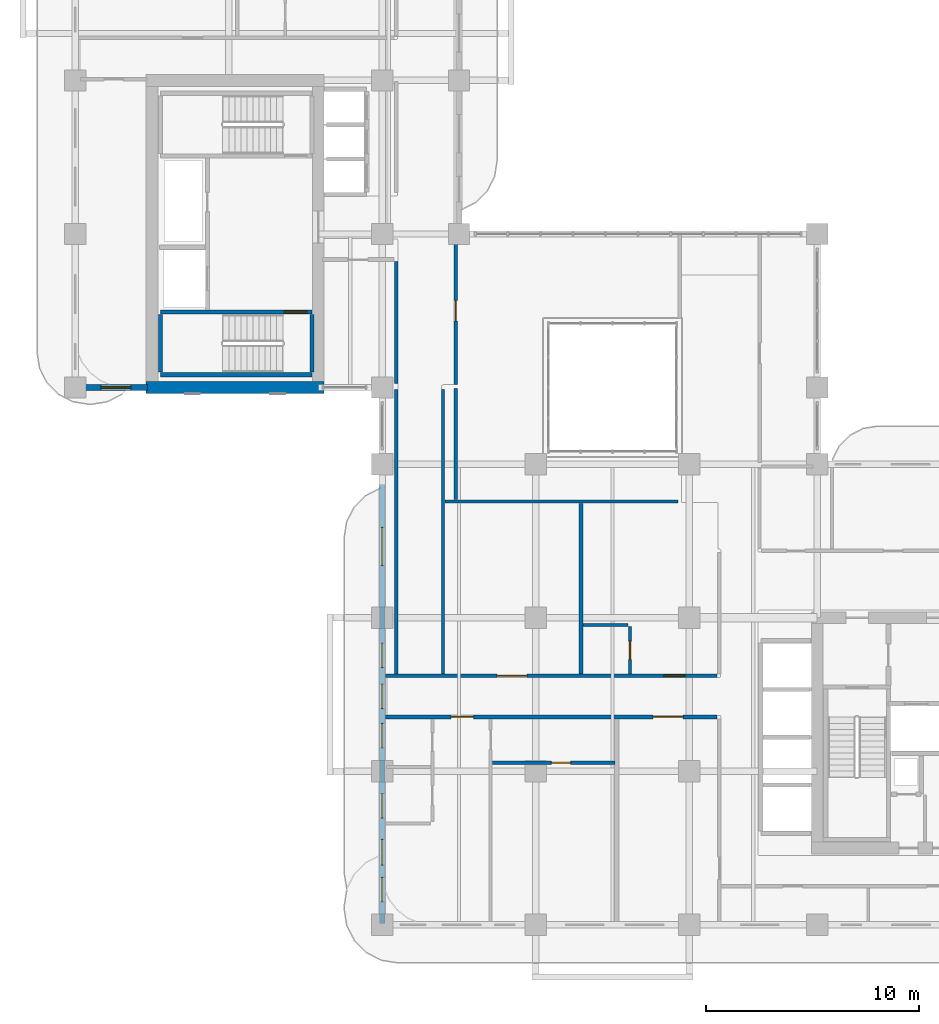
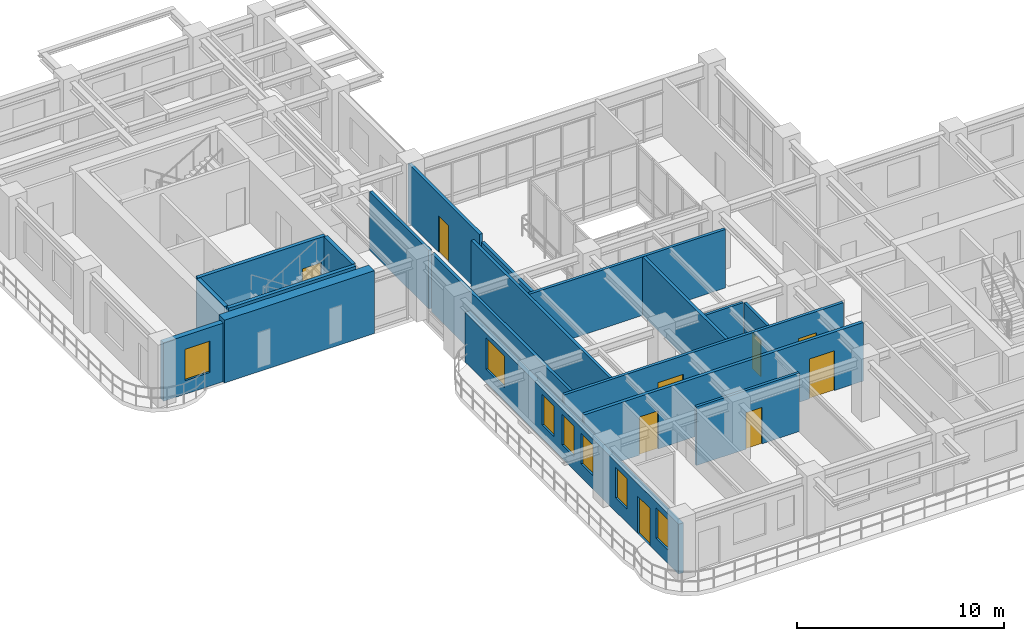
# One storey, part 11 of 20: 19 walls, 9 doors, 7 windows, 16 openings.
"""IFC4 building model written with IfcOpenShell, lengths in metres."""

from ifc_helpers import new_model, si_unit, derived_unit, direction, frame, frame_2d, origin, place, context, subcontext, project, spatial, rectangle, extrude, source, transform, mapped, material, layer, layer_set, type_object, type_shapes, element, fill, save


model = new_model("IFC4")

# Units and contexts
model_context = context("Model", 3, precision=1e-05, world=origin(), true_north=direction((0.0, 1.0)))
body_context = subcontext(model_context, "Body", "Model", "MODEL_VIEW")
ifc_project = project(units=[si_unit("LENGTHUNIT", "METRE"), si_unit("AREAUNIT", "SQUARE_METRE"), si_unit("VOLUMEUNIT", "CUBIC_METRE"), si_unit("PLANEANGLEUNIT", "RADIAN"), si_unit("MASSUNIT", "GRAM", prefix="KILO"), si_unit("THERMODYNAMICTEMPERATUREUNIT", "KELVIN"), si_unit("POWERUNIT", "WATT"), derived_unit("THERMALTRANSMITTANCEUNIT", [(si_unit("POWERUNIT", "WATT"), 1), (si_unit("AREAUNIT", "SQUARE_METRE"), -1), (si_unit("THERMODYNAMICTEMPERATUREUNIT", "KELVIN"), -1)])], contexts=[model_context])

# Site, building, storey
site_placement = place(None, origin())
site = spatial("IfcSite", under=ifc_project, at=site_placement, CompositionType="ELEMENT")
building_placement = place(site_placement, origin())
building = spatial("IfcBuilding", under=site, at=building_placement, Name="Zahravan Archway Hotel and Residences", CompositionType="ELEMENT")
storey_placement = place(building_placement, frame((0.0, 0.0, 111.800048828125)))
storey = spatial("IfcBuildingStorey", under=building, at=storey_placement, Name="L27", CompositionType="ELEMENT", Elevation=111.800048828125)

# Wall
ifc_material_1 = material(Name="Concrete C70/85", Category="concrete")
ifc_layer_1 = layer(ifc_material_1, 0.550048828125, Name="Concrete C70/85", Category="concrete")
ifc_layer_set_1 = layer_set([ifc_layer_1], Name="Concrete C70/85")
wall_type_1 = type_object("IfcWallType", Name="CW-CORE-550", PredefinedType="SHEAR", material=ifc_layer_set_1)
wall_1_placement = place(storey_placement, frame((3.324951171875, 25.199951171875, 0.0), z_axis=(0.0, 0.0, 1.0), x_axis=(1.0, 0.0, 0.0)))
element("IfcWall", 1, at=wall_1_placement, inside=storey, type_object=wall_type_1, Name="L27 Core B Shear S Wall 550 mm", PredefinedType="SHEAR", context=body_context, shape_type="SweptSolid", body=[
    extrude(rectangle(XDim=8.35009765625, YDim=0.550048828125, at=frame_2d((4.175048828125, 0.0))), origin(), (0.0, 0.0, 1.0), 3.699951171875),
])

# Wall, openings, door, windows
ifc_material_2 = material(Name="Honed Red-Ochre Sandstone & Insulated Block", Category="masonry")
ifc_layer_2 = layer(ifc_material_2, 0.280029296875, Name="Honed Red-Ochre Sandstone & Insulated Block", Category="masonry")
ifc_layer_set_2 = layer_set([ifc_layer_2], Name="Honed Red-Ochre Sandstone & Insulated Block")
wall_type_2 = type_object("IfcWallType", Name="EW-LOG-280", PredefinedType="SOLIDWALL", material=ifc_layer_set_2)
wall_2_placement = place(storey_placement, frame((14.39990234375, 0.050048828125, 0.0), z_axis=(0.0, 0.0, 1.0), x_axis=(0.0, 1.0, 0.0)))
wall_2 = element("IfcWall", 2, at=wall_2_placement, inside=storey, type_object=wall_type_2, Name="L27 Exterior Sandstone Wall WA-WL", PredefinedType="SOLIDWALL", context=body_context, shape_type="SweptSolid", body=[
    extrude(rectangle(XDim=20.599853515625, YDim=0.280029296875, at=frame_2d((10.2998046875, 0.0))), origin(), (0.0, 0.0, 1.0), 2.93505859375),
])
opening_1_placement = place(wall_2_placement, frame((2.75, 0.0, 0.0)))
opening_1 = element("IfcOpeningElement", 3, at=opening_1_placement, cuts=wall_2, Name="Opening ED-BL1", PredefinedType="OPENING", context=body_context, shape_type="SweptSolid", body=[
    extrude(rectangle(XDim=1.199951171875, YDim=2.199951171875, at=frame_2d((0.60009765625, 1.10009765625))), frame((0.0, 0.14990234375, 0.0), z_axis=(0.0, -1.0, 0.0), x_axis=(1.0, 0.0, 0.0)), (0.0, 0.0, 1.0), 0.300048828125),
])
opening_2_placement = place(wall_2_placement, frame((1.02490234375, 0.0, 0.800048828125)))
opening_2 = element("IfcOpeningElement", 4, at=opening_2_placement, cuts=wall_2, Name="Opening W-05", PredefinedType="OPENING", context=body_context, shape_type="SweptSolid", body=[
    extrude(rectangle(XDim=1.14990234375, YDim=1.800048828125, at=frame_2d((0.574951171875, 0.89990234375))), frame((0.0, 0.14990234375, 0.0), z_axis=(0.0, -1.0, 0.0), x_axis=(1.0, 0.0, 0.0)), (0.0, 0.0, 1.0), 0.300048828125),
])
opening_3_placement = place(wall_2_placement, frame((4.9541015625, 0.0, 0.800048828125)))
opening_3 = element("IfcOpeningElement", 5, at=opening_3_placement, cuts=wall_2, Name="Opening W-05", PredefinedType="OPENING", context=body_context, shape_type="SweptSolid", body=[
    extrude(rectangle(XDim=1.14990234375, YDim=1.800048828125, at=frame_2d((0.574951171875, 0.89990234375))), frame((0.0, 0.14990234375, 0.0), z_axis=(0.0, -1.0, 0.0), x_axis=(1.0, 0.0, 0.0)), (0.0, 0.0, 1.0), 0.300048828125),
])
opening_4_placement = place(wall_2_placement, frame((8.24609375, 0.0, 0.800048828125)))
opening_4 = element("IfcOpeningElement", 6, at=opening_4_placement, cuts=wall_2, Name="Opening W-05", PredefinedType="OPENING", context=body_context, shape_type="SweptSolid", body=[
    extrude(rectangle(XDim=1.14990234375, YDim=1.800048828125, at=frame_2d((0.574951171875, 0.89990234375))), frame((0.0, 0.14990234375, 0.0), z_axis=(0.0, -1.0, 0.0), x_axis=(1.0, 0.0, 0.0)), (0.0, 0.0, 1.0), 0.300048828125),
])
opening_5_placement = place(wall_2_placement, frame((10.0849609375, 0.0, 0.800048828125)))
opening_5 = element("IfcOpeningElement", 7, at=opening_5_placement, cuts=wall_2, Name="Opening W-05", PredefinedType="OPENING", context=body_context, shape_type="SweptSolid", body=[
    extrude(rectangle(XDim=1.14990234375, YDim=1.800048828125, at=frame_2d((0.574951171875, 0.89990234375))), frame((0.0, 0.14990234375, 0.0), z_axis=(0.0, -1.0, 0.0), x_axis=(1.0, 0.0, 0.0)), (0.0, 0.0, 1.0), 0.300048828125),
])
opening_6_placement = place(wall_2_placement, frame((12.013916015625, 0.0, 0.800048828125)))
opening_6 = element("IfcOpeningElement", 8, at=opening_6_placement, cuts=wall_2, Name="Opening W-05", PredefinedType="OPENING", context=body_context, shape_type="SweptSolid", body=[
    extrude(rectangle(XDim=1.14990234375, YDim=1.800048828125, at=frame_2d((0.574951171875, 0.89990234375))), frame((0.0, 0.14990234375, 0.0), z_axis=(0.0, -1.0, 0.0), x_axis=(1.0, 0.0, 0.0)), (0.0, 0.0, 1.0), 0.300048828125),
])
opening_7_placement = place(wall_2_placement, frame((16.7900390625, 0.0, 0.800048828125)))
opening_7 = element("IfcOpeningElement", 9, at=opening_7_placement, cuts=wall_2, Name="Opening W-02", PredefinedType="OPENING", context=body_context, shape_type="SweptSolid", body=[
    extrude(rectangle(XDim=1.800048828125, YDim=1.85009765625, at=frame_2d((0.89990234375, 0.925048828125))), frame((0.0, 0.14990234375, 0.0), z_axis=(0.0, -1.0, 0.0), x_axis=(1.0, 0.0, 0.0)), (0.0, 0.0, 1.0), 0.300048828125),
])
ifc_material_3 = material(Name="Bronze-Anodized Glazed Aluminium", Category="aluminium")
door_type_1 = type_object("IfcDoorType", Name="ED-BALC-1200", OperationType="SLIDING_TO_LEFT", PredefinedType="DOOR", material=ifc_material_3)
shared_shape_1 = source(origin(), body_context, "Body", "SweptSolid", [
    extrude(rectangle(XDim=1.199951171875, YDim=2.199951171875, at=frame_2d((0.60009765625, 1.10009765625))), frame((0.0, 0.02490234375, 0.0), z_axis=(0.0, -1.0, 0.0), x_axis=(1.0, 0.0, 0.0)), (0.0, 0.0, 1.0), 0.050048828125),
])
type_shapes(door_type_1, [shared_shape_1])
door_1_placement = place(opening_1_placement, origin())
door_1 = element("IfcDoor", 10, at=door_1_placement, inside=storey, type_object=door_type_1, Name="L27 Outdoor Access Sliding Door (SLB-BAL-L27-WA)", OperationType="SLIDING_TO_LEFT", OverallHeight=2.199951171875, OverallWidth=1.199951171875, PredefinedType="DOOR", context=body_context, shape_type="MappedRepresentation", body=[
    mapped(shared_shape_1, transform((0.0, 0.0, 0.0), scale=1.0)),
])
fill(opening_1, door_1)
ifc_material_4 = material(Name="Bronze-Anodized Thermal-Break Aluminium & Low-E Glass", Category="aluminium")
window_type_1 = type_object("IfcWindowType", Name="WIN-TWR-1800", PartitioningType="DOUBLE_PANEL_VERTICAL", PredefinedType="WINDOW", material=ifc_material_4)
shared_shape_2 = source(origin(), body_context, "Body", "SweptSolid", [
    extrude(rectangle(XDim=1.800048828125, YDim=1.85009765625, at=frame_2d((0.89990234375, 0.925048828125))), frame((0.0, 0.030029296875, 0.0), z_axis=(0.0, -1.0, 0.0), x_axis=(1.0, 0.0, 0.0)), (0.0, 0.0, 1.0), 0.06005859375),
])
type_shapes(window_type_1, [shared_shape_2])
window_1_placement = place(opening_7_placement, origin())
window_1 = element("IfcWindow", 11, at=window_1_placement, inside=storey, type_object=window_type_1, Name="L27 Loggia Window 20", OverallHeight=1.85009765625, OverallWidth=1.800048828125, PartitioningType="DOUBLE_PANEL_VERTICAL", PredefinedType="WINDOW", context=body_context, shape_type="MappedRepresentation", body=[
    mapped(shared_shape_2, transform((0.0, 0.0, 0.0), scale=1.0)),
])
fill(opening_7, window_1)
window_type_2 = type_object("IfcWindowType", Name="WIN-TWR-1150", PartitioningType="SINGLE_PANEL", PredefinedType="WINDOW", material=ifc_material_4)
shared_shape_3 = source(origin(), body_context, "Body", "SweptSolid", [
    extrude(rectangle(XDim=1.14990234375, YDim=1.800048828125, at=frame_2d((0.574951171875, 0.89990234375))), frame((0.0, 0.030029296875, 0.0), z_axis=(0.0, -1.0, 0.0), x_axis=(1.0, 0.0, 0.0)), (0.0, 0.0, 1.0), 0.06005859375),
])
type_shapes(window_type_2, [shared_shape_3])
window_2_placement = place(opening_2_placement, origin())
window_2 = element("IfcWindow", 12, at=window_2_placement, inside=storey, type_object=window_type_2, Name="L27 Loggia Window 15", OverallHeight=1.800048828125, OverallWidth=1.14990234375, PartitioningType="SINGLE_PANEL", PredefinedType="WINDOW", context=body_context, shape_type="MappedRepresentation", body=[
    mapped(shared_shape_3, transform((0.0, 0.0, 0.0), scale=1.0)),
])
fill(opening_2, window_2)
window_3_placement = place(opening_3_placement, origin())
window_3 = element("IfcWindow", 13, at=window_3_placement, inside=storey, type_object=window_type_2, Name="L27 Loggia Window 16", OverallHeight=1.800048828125, OverallWidth=1.14990234375, PartitioningType="SINGLE_PANEL", PredefinedType="WINDOW", context=body_context, shape_type="MappedRepresentation", body=[
    mapped(shared_shape_3, transform((0.0, 0.0, 0.0), scale=1.0)),
])
fill(opening_3, window_3)
window_4_placement = place(opening_4_placement, origin())
window_4 = element("IfcWindow", 14, at=window_4_placement, inside=storey, type_object=window_type_2, Name="L27 Loggia Window 17", OverallHeight=1.800048828125, OverallWidth=1.14990234375, PartitioningType="SINGLE_PANEL", PredefinedType="WINDOW", context=body_context, shape_type="MappedRepresentation", body=[
    mapped(shared_shape_3, transform((0.0, 0.0, 0.0), scale=1.0)),
])
fill(opening_4, window_4)
window_5_placement = place(opening_5_placement, origin())
window_5 = element("IfcWindow", 15, at=window_5_placement, inside=storey, type_object=window_type_2, Name="L27 Loggia Window 18", OverallHeight=1.800048828125, OverallWidth=1.14990234375, PartitioningType="SINGLE_PANEL", PredefinedType="WINDOW", context=body_context, shape_type="MappedRepresentation", body=[
    mapped(shared_shape_3, transform((0.0, 0.0, 0.0), scale=1.0)),
])
fill(opening_5, window_5)
window_6_placement = place(opening_6_placement, origin())
window_6 = element("IfcWindow", 16, at=window_6_placement, inside=storey, type_object=window_type_2, Name="L27 Loggia Window 19", OverallHeight=1.800048828125, OverallWidth=1.14990234375, PartitioningType="SINGLE_PANEL", PredefinedType="WINDOW", context=body_context, shape_type="MappedRepresentation", body=[
    mapped(shared_shape_3, transform((0.0, 0.0, 0.0), scale=1.0)),
])
fill(opening_6, window_6)

# Wall, opening, window
wall_3_placement = place(storey_placement, frame((0.0, 25.199951171875, 0.0), z_axis=(0.0, 0.0, 1.0), x_axis=(1.0, 0.0, 0.0)))
wall_3 = element("IfcWall", 17, at=wall_3_placement, inside=storey, type_object=wall_type_2, Name="L27 Exterior Sandstone Wall WB-SW", PredefinedType="SOLIDWALL", context=body_context, shape_type="SweptSolid", body=[
    extrude(rectangle(XDim=3.3798828125, YDim=0.280029296875, at=frame_2d((1.68994140625, 0.0))), origin(), (0.0, 0.0, 1.0), 3.449951171875),
])
opening_8_placement = place(wall_3_placement, frame((1.205078125, 0.0, 0.800048828125)))
opening_8 = element("IfcOpeningElement", 18, at=opening_8_placement, cuts=wall_3, Name="Opening W-03", PredefinedType="OPENING", context=body_context, shape_type="SweptSolid", body=[
    extrude(rectangle(XDim=1.39990234375, YDim=1.85009765625, at=frame_2d((0.699951171875, 0.925048828125))), frame((0.0, 0.14990234375, 0.0), z_axis=(0.0, -1.0, 0.0), x_axis=(1.0, 0.0, 0.0)), (0.0, 0.0, 1.0), 0.300048828125),
])
window_type_3 = type_object("IfcWindowType", Name="WIN-TWR-1400", PartitioningType="SINGLE_PANEL", PredefinedType="WINDOW", material=ifc_material_4)
shared_shape_4 = source(origin(), body_context, "Body", "SweptSolid", [
    extrude(rectangle(XDim=1.39990234375, YDim=1.85009765625, at=frame_2d((0.699951171875, 0.925048828125))), frame((0.0, 0.030029296875, 0.0), z_axis=(0.0, -1.0, 0.0), x_axis=(1.0, 0.0, 0.0)), (0.0, 0.0, 1.0), 0.06005859375),
])
type_shapes(window_type_3, [shared_shape_4])
window_7_placement = place(opening_8_placement, origin())
window_7 = element("IfcWindow", 19, at=window_7_placement, inside=storey, type_object=window_type_3, Name="L27 Loggia Window 21", OverallHeight=1.85009765625, OverallWidth=1.39990234375, PartitioningType="SINGLE_PANEL", PredefinedType="WINDOW", context=body_context, shape_type="MappedRepresentation", body=[
    mapped(shared_shape_4, transform((0.0, 0.0, 0.0), scale=1.0)),
])
fill(opening_8, window_7)

# Wall, openings, doors
ifc_material_5 = material(Name="Fire-Rated Gypsum & Concrete Block", Category="concrete")
ifc_layer_3 = layer(ifc_material_5, 0.159912109375, Name="Fire-Rated Gypsum & Concrete Block", Category="concrete")
ifc_layer_set_3 = layer_set([ifc_layer_3], Name="Fire-Rated Gypsum & Concrete Block")
wall_type_3 = type_object("IfcWallType", Name="PW-CORR-160", PredefinedType="PARTITIONING", material=ifc_layer_set_3)
wall_4_placement = place(storey_placement, frame((14.548095703125, 11.669921875, 0.0), z_axis=(0.0, 0.0, 1.0), x_axis=(1.0, 0.0, 0.0)))
wall_4 = element("IfcWall", 20, at=wall_4_placement, inside=storey, type_object=wall_type_3, Name="L27 Partition WA-CN", PredefinedType="PARTITIONING", context=body_context, shape_type="SweptSolid", body=[
    extrude(rectangle(XDim=15.56201171875, YDim=0.159912109375, at=frame_2d((7.781005859375, 0.0))), origin(), (0.0, 0.0, 1.0), 3.449951171875),
])
opening_9_placement = place(wall_4_placement, frame((5.237060546875, 0.0, 0.0)))
opening_9 = element("IfcOpeningElement", 21, at=opening_9_placement, cuts=wall_4, Name="Opening D-P1", PredefinedType="OPENING", context=body_context, shape_type="SweptSolid", body=[
    extrude(rectangle(XDim=1.39990234375, YDim=2.35009765625, at=frame_2d((0.699951171875, 1.175048828125))), frame((0.0, 0.08984375, 0.0), z_axis=(0.0, -1.0, 0.0), x_axis=(1.0, 0.0, 0.0)), (0.0, 0.0, 1.0), 0.179931640625),
])
opening_10_placement = place(wall_4_placement, frame((13.06201171875, 0.0, 0.0)))
opening_10 = element("IfcOpeningElement", 22, at=opening_10_placement, cuts=wall_4, Name="Opening D-U2", PredefinedType="OPENING", context=body_context, shape_type="SweptSolid", body=[
    extrude(rectangle(XDim=1.0, YDim=2.199951171875, at=frame_2d((0.5, 1.10009765625))), frame((0.0, 0.08984375, 0.0), z_axis=(0.0, -1.0, 0.0), x_axis=(1.0, 0.0, 0.0)), (0.0, 0.0, 1.0), 0.179931640625),
])
door_type_2 = type_object("IfcDoorType", Name="ID-PUBLIC-1400", OperationType="DOUBLE_DOOR_SINGLE_SWING", PredefinedType="DOOR", material=ifc_material_3)
shared_shape_5 = source(origin(), body_context, "Body", "SweptSolid", [
    extrude(rectangle(XDim=1.39990234375, YDim=2.35009765625, at=frame_2d((0.699951171875, 1.175048828125))), frame((0.0, 0.02490234375, 0.0), z_axis=(0.0, -1.0, 0.0), x_axis=(1.0, 0.0, 0.0)), (0.0, 0.0, 1.0), 0.050048828125),
])
type_shapes(door_type_2, [shared_shape_5])
door_2_placement = place(opening_9_placement, origin())
door_2 = element("IfcDoor", 23, at=door_2_placement, inside=storey, type_object=door_type_2, Name="L27 Atrium Lounge Door", OperationType="DOUBLE_DOOR_SINGLE_SWING", OverallHeight=2.35009765625, OverallWidth=1.39990234375, PredefinedType="DOOR", context=body_context, shape_type="MappedRepresentation", body=[
    mapped(shared_shape_5, transform((0.0, 0.0, 0.0), scale=1.0)),
])
fill(opening_9, door_2)
ifc_material_6 = material(Name="Hardwood Veneer Timber", Category="wood")
door_type_3 = type_object("IfcDoorType", Name="ID-UNIT-1000", OperationType="NOTDEFINED", PredefinedType="DOOR", material=ifc_material_6)
shared_shape_6 = source(origin(), body_context, "Body", "SweptSolid", [
    extrude(rectangle(XDim=1.0, YDim=2.199951171875, at=frame_2d((0.5, 1.10009765625))), frame((0.0, 0.02490234375, 0.0), z_axis=(0.0, -1.0, 0.0), x_axis=(1.0, 0.0, 0.0)), (0.0, 0.0, 1.0), 0.050048828125),
])
type_shapes(door_type_3, [shared_shape_6])
door_3_placement = place(opening_10_placement, origin())
door_3 = element("IfcDoor", 24, at=door_3_placement, inside=storey, type_object=door_type_3, Name="L27 Hotel Guestroom 51 Entrance Door", OperationType="SINGLE_SWING_RIGHT", OverallHeight=2.199951171875, OverallWidth=1.0, PredefinedType="DOOR", context=body_context, shape_type="MappedRepresentation", body=[
    mapped(shared_shape_6, transform((0.0, 0.0, 0.0), scale=1.0)),
])
fill(opening_10, door_3)

# Walls
for number, where, z_axis, x_axis, name in (
    (25, (15.050048828125, 11.760009765625, 0.0), (0.0, 0.0, 1.0), (0.0, 1.0, 0.0), "L27 Partition LNK-W"),
    (26, (17.25, 11.760009765625, 0.0), (0.0, 0.0, 1.0), (0.0, 1.0, 0.0), "L27 Partition LNK-E"),
):
    element("IfcWall", number, at=place(storey_placement, frame(where, z_axis=z_axis, x_axis=x_axis)), inside=storey, type_object=wall_type_3, Name=name, PredefinedType="PARTITIONING", context=body_context, shape_type="SweptSolid", body=[
        extrude(rectangle(XDim=13.35009765625, YDim=0.159912109375, at=frame_2d((6.675048828125, 0.0))), origin(), (0.0, 0.0, 1.0), 3.449951171875),
    ])
wall_5_placement = place(storey_placement, frame((15.050048828125, 25.389892578125, 0.0), z_axis=(0.0, 0.0, 1.0), x_axis=(0.0, 1.0, 0.0)))
element("IfcWall", 27, at=wall_5_placement, inside=storey, type_object=wall_type_3, Name="L27 Partition FB1-E", PredefinedType="PARTITIONING", context=body_context, shape_type="SweptSolid", body=[
    extrude(rectangle(XDim=5.72021484375, YDim=0.159912109375, at=frame_2d((2.860107421875, 0.0))), origin(), (0.0, 0.0, 1.0), 3.449951171875),
])
wall_6_placement = place(storey_placement, frame((17.340087890625, 19.85009765625, 0.0), z_axis=(0.0, 0.0, 1.0), x_axis=(1.0, 0.0, 0.0)))
element("IfcWall", 28, at=wall_6_placement, inside=storey, type_object=wall_type_3, Name="L27 Partition ATR-S", PredefinedType="PARTITIONING", context=body_context, shape_type="SweptSolid", body=[
    extrude(rectangle(XDim=10.919921875, YDim=0.159912109375, at=frame_2d((5.4599609375, 0.0))), origin(), (0.0, 0.0, 1.0), 3.449951171875),
])

# Wall, openings, doors
ifc_layer_4 = layer(ifc_material_5, 0.179931640625, Name="Fire-Rated Gypsum & Concrete Block", Category="concrete")
ifc_layer_set_4 = layer_set([ifc_layer_4], Name="Fire-Rated Gypsum & Concrete Block")
wall_type_4 = type_object("IfcWallType", Name="PW-CORR-180", PredefinedType="PARTITIONING", material=ifc_layer_set_4)
wall_7_placement = place(storey_placement, frame((14.548095703125, 9.75, 0.0), z_axis=(0.0, 0.0, 1.0), x_axis=(1.0, 0.0, 0.0)))
wall_7 = element("IfcWall", 29, at=wall_7_placement, inside=storey, type_object=wall_type_4, Name="L27 Partition WA-CS", PredefinedType="PARTITIONING", context=body_context, shape_type="SweptSolid", body=[
    extrude(rectangle(XDim=15.56201171875, YDim=0.179931640625, at=frame_2d((7.781005859375, 0.0))), origin(), (0.0, 0.0, 1.0), 3.449951171875),
])
opening_11_placement = place(wall_7_placement, frame((3.08203125, 0.0, 0.0)))
opening_11 = element("IfcOpeningElement", 30, at=opening_11_placement, cuts=wall_7, Name="Opening D-U1", PredefinedType="OPENING", context=body_context, shape_type="SweptSolid", body=[
    extrude(rectangle(XDim=1.050048828125, YDim=2.25, at=frame_2d((0.52490234375, 1.125))), frame((0.0, 0.10009765625, 0.0), z_axis=(0.0, -1.0, 0.0), x_axis=(1.0, 0.0, 0.0)), (0.0, 0.0, 1.0), 0.199951171875),
])
opening_12_placement = place(wall_7_placement, frame((12.552001953125, 0.0, 0.0)))
opening_12 = element("IfcOpeningElement", 31, at=opening_12_placement, cuts=wall_7, Name="Opening D-P1", PredefinedType="OPENING", context=body_context, shape_type="SweptSolid", body=[
    extrude(rectangle(XDim=1.39990234375, YDim=2.35009765625, at=frame_2d((0.699951171875, 1.175048828125))), frame((0.0, 0.10009765625, 0.0), z_axis=(0.0, -1.0, 0.0), x_axis=(1.0, 0.0, 0.0)), (0.0, 0.0, 1.0), 0.199951171875),
])
door_4_placement = place(opening_12_placement, origin())
door_4 = element("IfcDoor", 32, at=door_4_placement, inside=storey, type_object=door_type_2, Name="L27 South Spa Salon Door", OperationType="DOUBLE_DOOR_SINGLE_SWING", OverallHeight=2.35009765625, OverallWidth=1.39990234375, PredefinedType="DOOR", context=body_context, shape_type="MappedRepresentation", body=[
    mapped(shared_shape_5, transform((0.0, 0.0, 0.0), scale=1.0)),
])
fill(opening_12, door_4)
door_type_4 = type_object("IfcDoorType", Name="ID-UNIT-1050", OperationType="NOTDEFINED", PredefinedType="DOOR", material=ifc_material_6)
shared_shape_7 = source(origin(), body_context, "Body", "SweptSolid", [
    extrude(rectangle(XDim=1.050048828125, YDim=2.25, at=frame_2d((0.52490234375, 1.125))), frame((0.0, 0.02490234375, 0.0), z_axis=(0.0, -1.0, 0.0), x_axis=(1.0, 0.0, 0.0)), (0.0, 0.0, 1.0), 0.050048828125),
])
type_shapes(door_type_4, [shared_shape_7])
door_5_placement = place(opening_11_placement, origin())
door_5 = element("IfcDoor", 33, at=door_5_placement, inside=storey, type_object=door_type_4, Name="L27 Flat HS1 Entrance Door", OperationType="SINGLE_SWING_LEFT", OverallHeight=2.25, OverallWidth=1.050048828125, PredefinedType="DOOR", context=body_context, shape_type="MappedRepresentation", body=[
    mapped(shared_shape_7, transform((0.0, 0.0, 0.0), scale=1.0)),
])
fill(opening_11, door_5)

# Wall, opening, door
ifc_material_7 = material(Name="Acoustic Stud Partition")
ifc_layer_5 = layer(ifc_material_7, 0.14990234375, Name="Acoustic Stud Partition")
ifc_layer_set_5 = layer_set([ifc_layer_5], Name="Acoustic Stud Partition")
wall_type_5 = type_object("IfcWallType", Name="PW-UNIT-150", PredefinedType="PARTITIONING", material=ifc_layer_set_5)
wall_8_placement = place(storey_placement, frame((19.570068359375, 7.60009765625, 0.0), z_axis=(0.0, 0.0, 1.0), x_axis=(1.0, 0.0, 0.0)))
wall_8 = element("IfcWall", 34, at=wall_8_placement, inside=storey, type_object=wall_type_5, Name="L27 Partition FL-HS1-GH", PredefinedType="PARTITIONING", context=body_context, shape_type="SweptSolid", body=[
    extrude(rectangle(XDim=5.739990234375, YDim=0.14990234375, at=frame_2d((2.8701171875, 0.0))), origin(), (0.0, 0.0, 1.0), 3.449951171875),
])
opening_13_placement = place(wall_8_placement, frame((2.762451171875, 0.0, 0.0)))
opening_13 = element("IfcOpeningElement", 35, at=opening_13_placement, cuts=wall_8, Name="Opening D-I2", PredefinedType="OPENING", context=body_context, shape_type="SweptSolid", body=[
    extrude(rectangle(XDim=0.89990234375, YDim=2.14990234375, at=frame_2d((0.449951171875, 1.074951171875))), frame((0.0, 0.0849609375, 0.0), z_axis=(0.0, -1.0, 0.0), x_axis=(1.0, 0.0, 0.0)), (0.0, 0.0, 1.0), 0.169921875),
])
door_type_5 = type_object("IfcDoorType", Name="ID-INT-900", OperationType="NOTDEFINED", PredefinedType="DOOR", material=ifc_material_6)
shared_shape_8 = source(origin(), body_context, "Body", "SweptSolid", [
    extrude(rectangle(XDim=0.89990234375, YDim=2.14990234375, at=frame_2d((0.449951171875, 1.074951171875))), frame((0.0, 0.02490234375, 0.0), z_axis=(0.0, -1.0, 0.0), x_axis=(1.0, 0.0, 0.0)), (0.0, 0.0, 1.0), 0.050048828125),
])
type_shapes(door_type_5, [shared_shape_8])
door_6_placement = place(opening_13_placement, origin())
door_6 = element("IfcDoor", 36, at=door_6_placement, inside=storey, type_object=door_type_5, Name="L27 Flat HS1 Bedroom 1 Door", OperationType="SINGLE_SWING_RIGHT", OverallHeight=2.14990234375, OverallWidth=0.89990234375, PredefinedType="DOOR", context=body_context, shape_type="MappedRepresentation", body=[
    mapped(shared_shape_8, transform((0.0, 0.0, 0.0), scale=1.0)),
])
fill(opening_13, door_6)

# Wall
ifc_layer_6 = layer(ifc_material_7, 0.169921875, Name="Acoustic Stud Partition")
ifc_layer_set_6 = layer_set([ifc_layer_6], Name="Acoustic Stud Partition")
wall_type_6 = type_object("IfcWallType", Name="PW-UNIT-170", PredefinedType="PARTITIONING", material=ifc_layer_set_6)
wall_9_placement = place(storey_placement, frame((17.85009765625, 19.93994140625, 0.0), z_axis=(0.0, 0.0, 1.0), x_axis=(0.0, 1.0, 0.0)))
element("IfcWall", 37, at=wall_9_placement, inside=storey, type_object=wall_type_6, Name="L27 Partition ATR-NWSL", PredefinedType="PARTITIONING", context=body_context, shape_type="SweptSolid", body=[
    extrude(rectangle(XDim=5.219970703125, YDim=0.169921875, at=frame_2d((2.60986328125, 0.0))), origin(), (0.0, 0.0, 1.0), 3.10498046875),
])

# Wall, opening, door
wall_10_placement = place(storey_placement, frame((17.85009765625, 25.340087890625, 0.0), z_axis=(0.0, 0.0, 1.0), x_axis=(0.0, 1.0, 0.0)))
wall_10 = element("IfcWall", 38, at=wall_10_placement, inside=storey, type_object=wall_type_6, Name="L27 Partition ATR-W2", PredefinedType="PARTITIONING", context=body_context, shape_type="SweptSolid", body=[
    extrude(rectangle(XDim=6.869873046875, YDim=0.169921875, at=frame_2d((3.43505859375, 0.0))), origin(), (0.0, 0.0, 1.0), 3.449951171875),
])
opening_14_placement = place(wall_10_placement, frame((2.985107421875, 0.0, 0.0)))
opening_14 = element("IfcOpeningElement", 39, at=opening_14_placement, cuts=wall_10, Name="Opening D-I1", PredefinedType="OPENING", context=body_context, shape_type="SweptSolid", body=[
    extrude(rectangle(XDim=0.949951171875, YDim=2.14990234375, at=frame_2d((0.47509765625, 1.074951171875))), frame((0.0, 0.094970703125, 0.0), z_axis=(0.0, -1.0, 0.0), x_axis=(1.0, 0.0, 0.0)), (0.0, 0.0, 1.0), 0.18994140625),
])
door_type_6 = type_object("IfcDoorType", Name="ID-INT-950", OperationType="NOTDEFINED", PredefinedType="DOOR", material=ifc_material_6)
shared_shape_9 = source(origin(), body_context, "Body", "SweptSolid", [
    extrude(rectangle(XDim=0.949951171875, YDim=2.14990234375, at=frame_2d((0.47509765625, 1.074951171875))), frame((0.0, 0.02490234375, 0.0), z_axis=(0.0, -1.0, 0.0), x_axis=(1.0, 0.0, 0.0)), (0.0, 0.0, 1.0), 0.050048828125),
])
type_shapes(door_type_6, [shared_shape_9])
door_7_placement = place(opening_14_placement, origin())
door_7 = element("IfcDoor", 40, at=door_7_placement, inside=storey, type_object=door_type_6, Name="L27 Atrium North-West Salon Door", OperationType="SINGLE_SWING_LEFT", OverallHeight=2.14990234375, OverallWidth=0.949951171875, PredefinedType="DOOR", context=body_context, shape_type="MappedRepresentation", body=[
    mapped(shared_shape_9, transform((0.0, 0.0, 0.0), scale=1.0)),
])
fill(opening_14, door_7)

# Wall
wall_11_placement = place(storey_placement, frame((23.719970703125, 11.760009765625, 0.0), z_axis=(0.0, 0.0, 1.0), x_axis=(0.0, 1.0, 0.0)))
element("IfcWall", 41, at=wall_11_placement, inside=storey, type_object=wall_type_6, Name="L27 Partition ATN-0", PredefinedType="PARTITIONING", context=body_context, shape_type="SweptSolid", body=[
    extrude(rectangle(XDim=8.0, YDim=0.169921875, at=frame_2d((4.0, 0.0))), origin(), (0.0, 0.0, 1.0), 3.449951171875),
])

# Wall, opening, door
ifc_material_8 = material(Name="Moisture-Resistant Blockwork", Category="masonry")
ifc_layer_7 = layer(ifc_material_8, 0.139892578125, Name="Moisture-Resistant Blockwork", Category="masonry")
ifc_layer_set_7 = layer_set([ifc_layer_7], Name="Moisture-Resistant Blockwork")
wall_type_7 = type_object("IfcWallType", Name="PW-WET-140", PredefinedType="PARTITIONING", material=ifc_layer_set_7)
wall_12_placement = place(storey_placement, frame((26.02001953125, 11.760009765625, 0.0), z_axis=(0.0, 0.0, 1.0), x_axis=(0.0, 1.0, 0.0)))
wall_12 = element("IfcWall", 42, at=wall_12_placement, inside=storey, type_object=wall_type_7, Name="L27 Partition HKB-V51", PredefinedType="PARTITIONING", context=body_context, shape_type="SweptSolid", body=[
    extrude(rectangle(XDim=2.219970703125, YDim=0.139892578125, at=frame_2d((1.10986328125, 0.0))), origin(), (0.0, 0.0, 1.0), 3.449951171875),
])
opening_15_placement = place(wall_12_placement, frame((0.68505859375, 0.0, 0.0)))
opening_15 = element("IfcOpeningElement", 43, at=opening_15_placement, cuts=wall_12, Name="Opening D-B1", PredefinedType="OPENING", context=body_context, shape_type="SweptSolid", body=[
    extrude(rectangle(XDim=0.85009765625, YDim=2.10009765625, at=frame_2d((0.425048828125, 1.050048828125))), frame((0.0, 0.080078125, 0.0), z_axis=(0.0, -1.0, 0.0), x_axis=(1.0, 0.0, 0.0)), (0.0, 0.0, 1.0), 0.159912109375),
])
door_type_7 = type_object("IfcDoorType", Name="ID-BATH-850", OperationType="NOTDEFINED", PredefinedType="DOOR", material=ifc_material_6)
shared_shape_10 = source(origin(), body_context, "Body", "SweptSolid", [
    extrude(rectangle(XDim=0.85009765625, YDim=2.10009765625, at=frame_2d((0.425048828125, 1.050048828125))), frame((0.0, 0.02490234375, 0.0), z_axis=(0.0, -1.0, 0.0), x_axis=(1.0, 0.0, 0.0)), (0.0, 0.0, 1.0), 0.050048828125),
])
type_shapes(door_type_7, [shared_shape_10])
door_8_placement = place(opening_15_placement, origin())
door_8 = element("IfcDoor", 44, at=door_8_placement, inside=storey, type_object=door_type_7, Name="L27 Guestroom 51 En-Suite Door", OperationType="SINGLE_SWING_LEFT", OverallHeight=2.10009765625, OverallWidth=0.85009765625, PredefinedType="DOOR", context=body_context, shape_type="MappedRepresentation", body=[
    mapped(shared_shape_10, transform((0.0, 0.0, 0.0), scale=1.0)),
])
fill(opening_15, door_8)

# Walls
wall_13_placement = place(storey_placement, frame((23.81005859375, 14.070068359375, 0.0), z_axis=(0.0, 0.0, 1.0), x_axis=(1.0, 0.0, 0.0)))
element("IfcWall", 45, at=wall_13_placement, inside=storey, type_object=wall_type_7, Name="L27 Partition HKB-H51", PredefinedType="PARTITIONING", context=body_context, shape_type="SweptSolid", body=[
    extrude(rectangle(XDim=2.119873046875, YDim=0.139892578125, at=frame_2d((1.06005859375, 0.0))), origin(), (0.0, 0.0, 1.0), 3.449951171875),
])
ifc_material_9 = material(Name="Concrete C50/60", Category="concrete")
ifc_layer_8 = layer(ifc_material_9, 0.199951171875, Name="Concrete C50/60", Category="concrete")
ifc_layer_set_8 = layer_set([ifc_layer_8], Name="Concrete C50/60")
wall_type_8 = type_object("IfcWallType", Name="SW-STAIR-200", PredefinedType="SHEAR", material=ifc_layer_set_8)
wall_14_placement = place(storey_placement, frame((4.0, 25.800048828125, 0.0), z_axis=(0.0, 0.0, 1.0), x_axis=(1.0, 0.0, 0.0)))
element("IfcWall", 46, at=wall_14_placement, inside=storey, type_object=wall_type_8, Name="L27 Stairwell RC Wall CB-SB1S", PredefinedType="SHEAR", context=body_context, shape_type="SweptSolid", body=[
    extrude(rectangle(XDim=7.10009765625, YDim=0.199951171875, at=frame_2d((3.550048828125, 0.0))), origin(), (0.0, 0.0, 1.0), 3.699951171875),
])
for number, where, z_axis, x_axis, name in (
    (47, (4.0, 25.919921875, 0.0), (0.0, 0.0, 1.0), (0.0, 1.0, 0.0), "L27 Stairwell RC Wall CB-SB1W"),
    (48, (11.10009765625, 25.919921875, 0.0), (0.0, 0.0, 1.0), (0.0, 1.0, 0.0), "L27 Stairwell RC Wall CB-SB1E"),
):
    element("IfcWall", number, at=place(storey_placement, frame(where, z_axis=z_axis, x_axis=x_axis)), inside=storey, type_object=wall_type_8, Name=name, PredefinedType="SHEAR", context=body_context, shape_type="SweptSolid", body=[
        extrude(rectangle(XDim=2.7001953125, YDim=0.199951171875, at=frame_2d((1.35009765625, 0.0))), origin(), (0.0, 0.0, 1.0), 3.699951171875),
    ])

# Wall, opening, door
wall_15_placement = place(storey_placement, frame((4.0, 28.739990234375, 0.0), z_axis=(0.0, 0.0, 1.0), x_axis=(1.0, 0.0, 0.0)))
wall_15 = element("IfcWall", 49, at=wall_15_placement, inside=storey, type_object=wall_type_8, Name="L27 Stairwell RC Wall CB-SB1N", PredefinedType="SHEAR", context=body_context, shape_type="SweptSolid", body=[
    extrude(rectangle(XDim=7.10009765625, YDim=0.199951171875, at=frame_2d((3.550048828125, 0.0))), origin(), (0.0, 0.0, 1.0), 3.699951171875),
])
opening_16_placement = place(wall_15_placement, frame((5.81494140625, 0.0, 0.0)))
opening_16 = element("IfcOpeningElement", 50, at=opening_16_placement, cuts=wall_15, Name="Opening FD-S1", PredefinedType="OPENING", context=body_context, shape_type="SweptSolid", body=[
    extrude(rectangle(XDim=1.050048828125, YDim=2.199951171875, at=frame_2d((0.52490234375, 1.10009765625))), frame((0.0, 0.10986328125, 0.0), z_axis=(0.0, -1.0, 0.0), x_axis=(1.0, 0.0, 0.0)), (0.0, 0.0, 1.0), 0.219970703125),
])
ifc_material_10 = material(Name="Fire-Rated Painted Steel", Category="steel")
door_type_8 = type_object("IfcDoorType", Name="FD-STAIR-1100", OperationType="NOTDEFINED", PredefinedType="DOOR", material=ifc_material_10)
shared_shape_11 = source(origin(), body_context, "Body", "SweptSolid", [
    extrude(rectangle(XDim=1.050048828125, YDim=2.199951171875, at=frame_2d((0.52490234375, 1.10009765625))), frame((0.0, 0.02490234375, 0.0), z_axis=(0.0, -1.0, 0.0), x_axis=(1.0, 0.0, 0.0)), (0.0, 0.0, 1.0), 0.050048828125),
])
type_shapes(door_type_8, [shared_shape_11])
door_9_placement = place(opening_16_placement, origin())
door_9 = element("IfcDoor", 51, at=door_9_placement, inside=storey, type_object=door_type_8, Name="L27 Stair ST-B1 Door", OperationType="SINGLE_SWING_RIGHT", OverallHeight=2.199951171875, OverallWidth=1.050048828125, PredefinedType="DOOR", context=body_context, shape_type="MappedRepresentation", body=[
    mapped(shared_shape_11, transform((0.0, 0.0, 0.0), scale=1.0)),
])
fill(opening_16, door_9)

save(model, "model.ifc")
